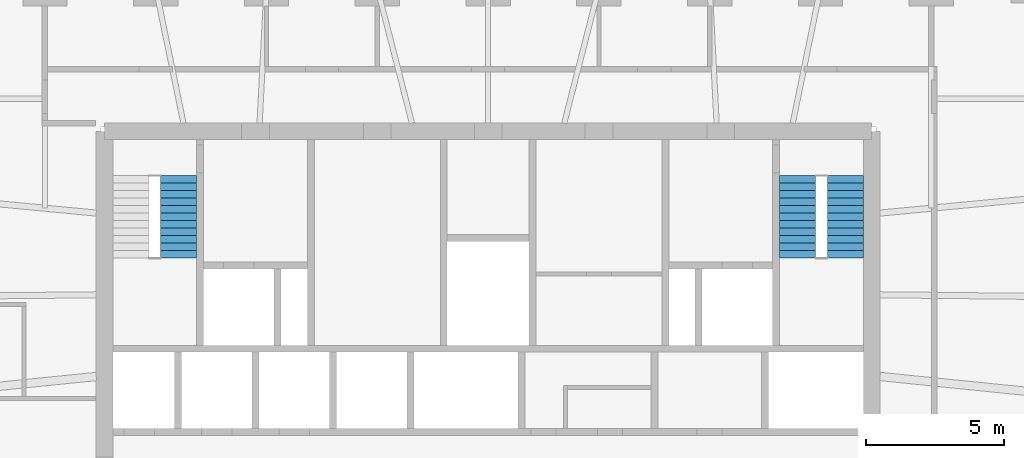
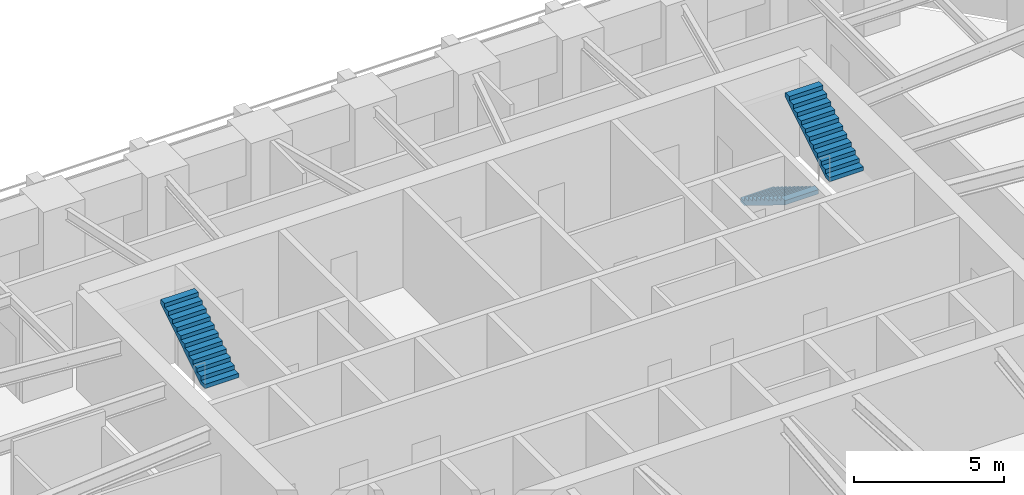
# One storey, part 8 of 10: 3 stair flights, 2 elements without a shape of their own.
"""IFC4 building model written with IfcOpenShell, lengths in metres."""

from ifc_helpers import new_model, si_unit, direction, frame, origin, place, context, subcontext, project, spatial, polyline, outline, extrude, material, type_object, element, aggregate, save


model = new_model("IFC4")

# Units and contexts
model_context = context("Model", 3, precision=1e-05, world=origin(), true_north=direction((0.0, 1.0)))
body_context = subcontext(model_context, "Body", "Model", "MODEL_VIEW")
ifc_project = project(units=[si_unit("LENGTHUNIT", "METRE"), si_unit("AREAUNIT", "SQUARE_METRE"), si_unit("VOLUMEUNIT", "CUBIC_METRE"), si_unit("PLANEANGLEUNIT", "RADIAN"), si_unit("MASSUNIT", "GRAM", prefix="KILO")], contexts=[model_context])

# Site, building, storey
site_placement = place(None, origin())
site = spatial("IfcSite", under=ifc_project, at=site_placement, CompositionType="ELEMENT")
building_placement = place(site_placement, origin())
building = spatial("IfcBuilding", under=site, at=building_placement, Name="Isbrekke Arena Tower", CompositionType="ELEMENT")
storey_placement = place(building_placement, frame((0.0, 0.0, 234.0)))
storey = spatial("IfcBuildingStorey", under=building, at=storey_placement, Name="L54", CompositionType="ELEMENT", Elevation=234.0)

# Stair, stair flight
ifc_material_1 = material(Name="Concrete B45 (C45/55) precast", Category="concrete")
stair_type = type_object("IfcStairType", Name="ST40 STAIR 1300 WIDE, 24 RISERS 167", PredefinedType="HALF_TURN_STAIR", material=ifc_material_1)
stair_1_placement = place(storey_placement, origin())
stair_1 = element("IfcStair", 1, at=stair_1_placement, inside=storey, type_object=stair_type, Name="ST1 stair L54", PredefinedType="HALF_TURN_STAIR")
ifc_material_2 = material(Name="Concrete B45 (C45/55) precast", Category="concrete")
stair_flight_type = type_object("IfcStairFlightType", Name="SF 1300 FLIGHT", PredefinedType="STRAIGHT", material=ifc_material_2)
stair_flight_1_placement = place(storey_placement, frame((-11.175048828125, 19.280029296875, 2.0), z_axis=(0.0, 0.0, 1.0), x_axis=(0.0, 1.0, 0.0)))
stair_flight_1 = element("IfcStairFlight", 2, at=stair_flight_1_placement, type_object=stair_flight_type, Name="ST1 flight 2", NumberOfRisers=12, NumberOfTreads=11, PredefinedType="STRAIGHT", RiserHeight=0.166666667, TreadLength=0.27, context=body_context, shape_type="SweptSolid", body=[
    extrude(outline(polyline([(0.0, 0.0), (0.0, 0.166748046875), (0.27001953125, 0.166748046875), (0.27001953125, 0.333251953125), (0.5400390625, 0.333251953125), (0.5400390625, 0.5), (0.81005859375, 0.5), (0.81005859375, 0.666748046875), (1.080078125, 0.666748046875), (1.080078125, 0.833251953125), (1.35009765625, 0.833251953125), (1.35009765625, 1.0), (1.6201171875, 1.0), (1.6201171875, 1.166748046875), (1.889892578125, 1.166748046875), (1.889892578125, 1.333251953125), (2.159912109375, 1.333251953125), (2.159912109375, 1.5), (2.429931640625, 1.5), (2.429931640625, 1.666748046875), (2.699951171875, 1.666748046875), (2.699951171875, 1.833251953125), (2.969970703125, 1.833251953125), (2.969970703125, 2.0), (2.969970703125, 1.6572265625), (0.285400390625, 0.0), (0.0, 0.0)])), frame((0.0, 0.64990234375, 0.0), z_axis=(0.0, -1.0, 0.0), x_axis=(1.0, 0.0, 0.0)), (0.0, 0.0, 1.0), 1.300048828125),
])
aggregate(stair_1, [stair_flight_1])

# Stair, stair flights
stair_2_placement = place(storey_placement, origin())
stair_2 = element("IfcStair", 3, at=stair_2_placement, inside=storey, type_object=stair_type, Name="ST2 stair L54", PredefinedType="HALF_TURN_STAIR")
stair_flight_2_placement = place(storey_placement, frame((11.175048828125, 22.25, 0.0), z_axis=(0.0, 0.0, 1.0), x_axis=(0.0, -1.0, 0.0)))
stair_flight_2 = element("IfcStairFlight", 4, at=stair_flight_2_placement, type_object=stair_flight_type, Name="ST2 flight 1", NumberOfRisers=12, NumberOfTreads=11, PredefinedType="STRAIGHT", RiserHeight=0.166666667, TreadLength=0.27, context=body_context, shape_type="SweptSolid", body=[
    extrude(outline(polyline([(0.0, 0.0), (0.0, 0.166748046875), (0.27001953125, 0.166748046875), (0.27001953125, 0.333251953125), (0.5400390625, 0.333251953125), (0.5400390625, 0.5), (0.81005859375, 0.5), (0.81005859375, 0.666748046875), (1.080078125, 0.666748046875), (1.080078125, 0.833251953125), (1.35009765625, 0.833251953125), (1.35009765625, 1.0), (1.6201171875, 1.0), (1.6201171875, 1.166748046875), (1.889892578125, 1.166748046875), (1.889892578125, 1.333251953125), (2.159912109375, 1.333251953125), (2.159912109375, 1.5), (2.429931640625, 1.5), (2.429931640625, 1.666748046875), (2.699951171875, 1.666748046875), (2.699951171875, 1.833251953125), (2.969970703125, 1.833251953125), (2.969970703125, 2.0), (2.969970703125, 1.6572265625), (0.285400390625, 0.0), (0.0, 0.0)])), frame((0.0, 0.64990234375, 0.0), z_axis=(0.0, -1.0, 0.0), x_axis=(1.0, 0.0, 0.0)), (0.0, 0.0, 1.0), 1.300048828125),
])
stair_flight_3_placement = place(storey_placement, frame((12.89990234375, 19.280029296875, 2.0), z_axis=(0.0, 0.0, 1.0), x_axis=(0.0, 1.0, 0.0)))
stair_flight_3 = element("IfcStairFlight", 5, at=stair_flight_3_placement, type_object=stair_flight_type, Name="ST2 flight 2", NumberOfRisers=12, NumberOfTreads=11, PredefinedType="STRAIGHT", RiserHeight=0.166666667, TreadLength=0.27, context=body_context, shape_type="SweptSolid", body=[
    extrude(outline(polyline([(0.0, 0.0), (0.0, 0.166748046875), (0.27001953125, 0.166748046875), (0.27001953125, 0.333251953125), (0.5400390625, 0.333251953125), (0.5400390625, 0.5), (0.81005859375, 0.5), (0.81005859375, 0.666748046875), (1.080078125, 0.666748046875), (1.080078125, 0.833251953125), (1.35009765625, 0.833251953125), (1.35009765625, 1.0), (1.6201171875, 1.0), (1.6201171875, 1.166748046875), (1.889892578125, 1.166748046875), (1.889892578125, 1.333251953125), (2.159912109375, 1.333251953125), (2.159912109375, 1.5), (2.429931640625, 1.5), (2.429931640625, 1.666748046875), (2.699951171875, 1.666748046875), (2.699951171875, 1.833251953125), (2.969970703125, 1.833251953125), (2.969970703125, 2.0), (2.969970703125, 1.6572265625), (0.285400390625, 0.0), (0.0, 0.0)])), frame((0.0, 0.64990234375, 0.0), z_axis=(0.0, -1.0, 0.0), x_axis=(1.0, 0.0, 0.0)), (0.0, 0.0, 1.0), 1.300048828125),
])
aggregate(stair_2, [stair_flight_2, stair_flight_3])

save(model, "model.ifc")
